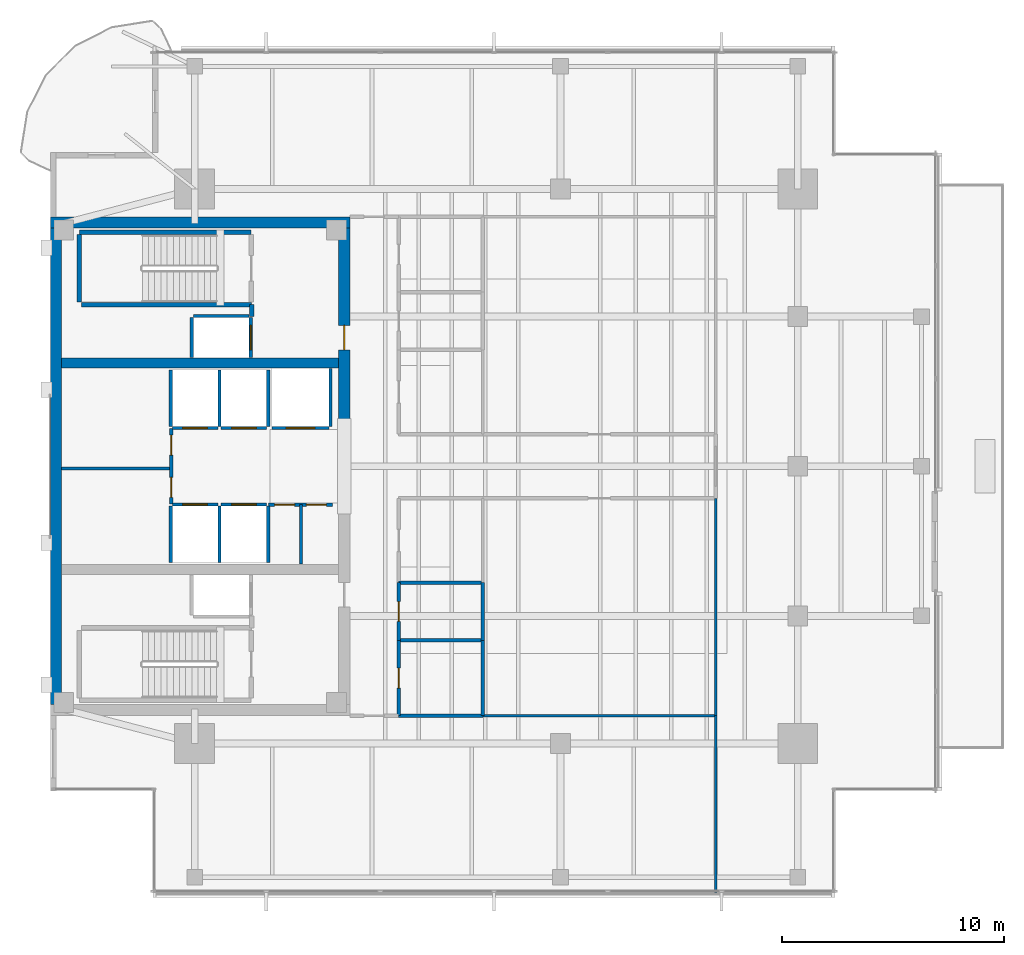
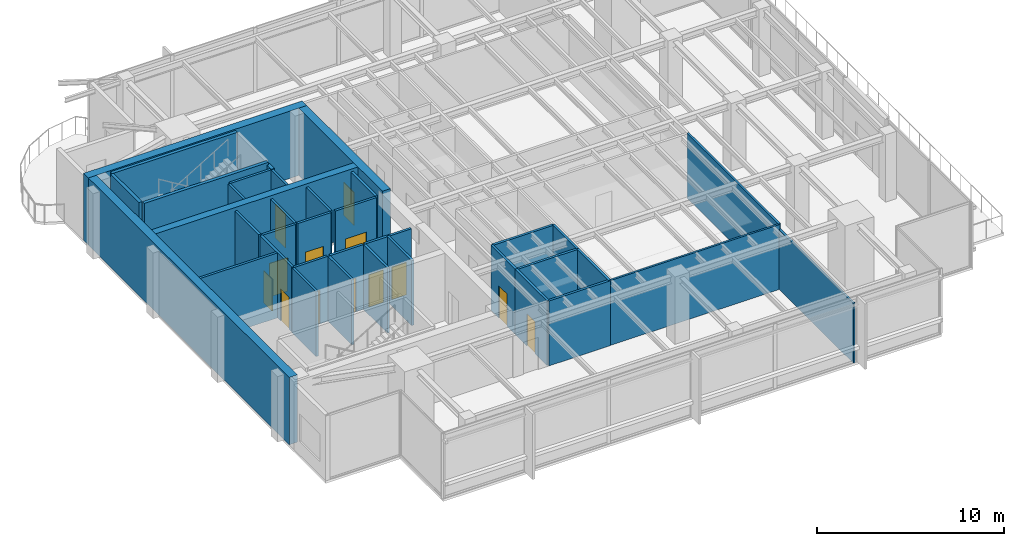
# One storey, part 8 of 14: 37 walls, 13 doors, 13 openings.
"""IFC4 building model written with IfcOpenShell, lengths in metres."""

from ifc_helpers import new_model, si_unit, direction, frame, frame_2d, origin, place, context, subcontext, project, spatial, rectangle, extrude, material, layer, layer_set, type_object, element, fill, save


model = new_model("IFC4")

# Units and contexts
model_context = context("Model", 3, precision=1e-05, world=origin(), true_north=direction((0.0, 1.0)))
body_context = subcontext(model_context, "Body", "Model", "MODEL_VIEW")
ifc_project = project(units=[si_unit("LENGTHUNIT", "METRE"), si_unit("AREAUNIT", "SQUARE_METRE"), si_unit("VOLUMEUNIT", "CUBIC_METRE"), si_unit("PLANEANGLEUNIT", "RADIAN"), si_unit("MASSUNIT", "GRAM", prefix="KILO")], contexts=[model_context])

# Site, building, storey
site_placement = place(None, origin())
site = spatial("IfcSite", under=ifc_project, at=site_placement, CompositionType="ELEMENT")
building_placement = place(site_placement, origin())
building = spatial("IfcBuilding", under=site, at=building_placement, Name="Kinhvarn Gate Tower", CompositionType="ELEMENT")
storey_placement = place(building_placement, frame((0.0, 0.0, 244.85009765625)))
storey = spatial("IfcBuildingStorey", under=building, at=storey_placement, Name="L65", CompositionType="ELEMENT", Elevation=244.85009765625)

# Walls
ifc_material_1 = material(Name="Concrete C50/60", Category="concrete")
ifc_layer_1 = layer(ifc_material_1, 0.449951171875)
ifc_layer_set_1 = layer_set([ifc_layer_1], Name="Concrete C50/60")
wall_type_1 = type_object("IfcWallType", Name="WL-CORE-450", PredefinedType="SHEAR", material=ifc_layer_set_1)
wall_1_placement = place(storey_placement, frame((5.0, 29.89990234375, 0.0), z_axis=(0.0, 0.0, 1.0), x_axis=(1.0, 0.0, 0.0)))
element("IfcWall", 1, at=wall_1_placement, inside=storey, type_object=wall_type_1, Name="Core North Spine Shear Wall L65 450 mm", PredefinedType="SHEAR", context=body_context, shape_type="SweptSolid", body=[
    extrude(rectangle(XDim=12.5, YDim=0.449951171875, at=frame_2d((6.25, 0.0))), origin(), (0.0, 0.0, 1.0), 4.39990234375),
])
ifc_layer_2 = layer(ifc_material_1, 0.5)
ifc_layer_set_2 = layer_set([ifc_layer_2], Name="Concrete C50/60")
wall_type_2 = type_object("IfcWallType", Name="WL-CORE-500", PredefinedType="SHEAR", material=ifc_layer_set_2)
wall_2_placement = place(storey_placement, frame((4.5, 36.25, 0.0), z_axis=(0.0, 0.0, 1.0), x_axis=(1.0, 0.0, 0.0)))
element("IfcWall", 2, at=wall_2_placement, inside=storey, type_object=wall_type_2, Name="Core North Shear Wall L65 500 mm", PredefinedType="SHEAR", context=body_context, shape_type="SweptSolid", body=[
    extrude(rectangle(XDim=13.5, YDim=0.5, at=frame_2d((6.75, 0.0))), origin(), (0.0, 0.0, 1.0), 4.39990234375),
])

# Wall, opening, door
wall_3_placement = place(storey_placement, frame((17.75, 27.050048828125, 0.0), z_axis=(0.0, 0.0, 1.0), x_axis=(0.0, 1.0, 0.0)))
wall_3 = element("IfcWall", 3, at=wall_3_placement, inside=storey, type_object=wall_type_2, Name="Core East-North Shear Pier L65 500 mm", PredefinedType="SHEAR", context=body_context, shape_type="SweptSolid", body=[
    extrude(rectangle(XDim=8.949951171875, YDim=0.5, at=frame_2d((4.47509765625, 0.0))), origin(), (0.0, 0.0, 1.0), 4.39990234375),
])
opening_1_placement = place(wall_3_placement, frame((3.449951171875, 0.0, 0.0)))
opening_1 = element("IfcOpeningElement", 4, at=opening_1_placement, cuts=wall_3, Name="Opening FD-02", PredefinedType="OPENING", context=body_context, shape_type="SweptSolid", body=[
    extrude(rectangle(XDim=1.10009765625, YDim=2.14990234375, at=frame_2d((0.550048828125, 1.074951171875))), frame((0.0, 0.260009765625, 0.0), z_axis=(0.0, -1.0, 0.0), x_axis=(1.0, 0.0, 0.0)), (0.0, 0.0, 1.0), 0.52001953125),
])
ifc_material_2 = material(Name="Anodised aluminium AW-6063", Category="aluminium")
door_type_1 = type_object("IfcDoorType", Name="DR-FD-1100", OperationType="NOTDEFINED", PredefinedType="DOOR", material=ifc_material_2)
door_1_placement = place(opening_1_placement, origin())
door_1 = element("IfcDoor", 5, at=door_1_placement, inside=storey, type_object=door_type_1, Name="Firefighting Lobby Core Door (L65)", OperationType="SINGLE_SWING_LEFT", OverallHeight=2.14990234375, OverallWidth=1.10009765625, PredefinedType="DOOR", context=body_context, shape_type="SweptSolid", body=[
    extrude(rectangle(XDim=1.10009765625, YDim=2.14990234375, at=frame_2d((0.550048828125, 1.074951171875))), frame((0.0, 0.02490234375, 0.0), z_axis=(0.0, -1.0, 0.0), x_axis=(1.0, 0.0, 0.0)), (0.0, 0.0, 1.0), 0.050048828125),
])
fill(opening_1, door_1)

# Walls
ifc_layer_3 = layer(ifc_material_1, 0.5)
ifc_layer_set_3 = layer_set([ifc_layer_3], Name="Concrete C50/60")
wall_type_3 = type_object("IfcWallType", Name="WL-COREX-500", PredefinedType="SHEAR", material=ifc_layer_set_3)
wall_4_placement = place(storey_placement, frame((4.75, 14.5, 0.0), z_axis=(0.0, 0.0, 1.0), x_axis=(0.0, 1.0, 0.0)))
element("IfcWall", 6, at=wall_4_placement, inside=storey, type_object=wall_type_3, Name="Core West Shear Wall L65 500 mm", PredefinedType="SHEAR", context=body_context, shape_type="SweptSolid", body=[
    extrude(rectangle(XDim=21.5, YDim=0.5, at=frame_2d((10.75, 0.0))), origin(), (0.0, 0.0, 1.0), 4.39990234375),
])
ifc_material_3 = material(Name="Gypsum acoustic partition board")
ifc_layer_4 = layer(ifc_material_3, 0.14990234375)
ifc_layer_set_4 = layer_set([ifc_layer_4], Name="Gypsum acoustic partition board")
wall_type_4 = type_object("IfcWallType", Name="WL-PLM-150", PredefinedType="PLUMBINGWALL", material=ifc_layer_set_4)
for number, where, z_axis, x_axis, name in (
    (7, (20.199951171875, 17.39990234375, 0.0), (0.0, 0.0, 1.0), (1.0, 0.0, 0.0), "Interior Partition PLW-150 (L65)"),
    (8, (20.199951171875, 14.0, 0.0), (0.0, 0.0, 1.0), (1.0, 0.0, 0.0), "Interior Partition PLW-150 (L65)"),
):
    element("IfcWall", number, at=place(storey_placement, frame(where, z_axis=z_axis, x_axis=x_axis)), inside=storey, type_object=wall_type_4, Name=name, PredefinedType="PLUMBINGWALL", context=body_context, shape_type="SweptSolid", body=[
        extrude(rectangle(XDim=3.800048828125, YDim=0.14990234375, at=frame_2d((1.89990234375, 0.0))), origin(), (0.0, 0.0, 1.0), 4.239990234375),
    ])
wall_5_placement = place(storey_placement, frame((24.0, 14.0, 0.0), z_axis=(0.0, 0.0, 1.0), x_axis=(0.0, 1.0, 0.0)))
element("IfcWall", 9, at=wall_5_placement, inside=storey, type_object=wall_type_4, Name="Interior Partition PLW-150 (L65)", PredefinedType="PLUMBINGWALL", context=body_context, shape_type="SweptSolid", body=[
    extrude(rectangle(XDim=3.39990234375, YDim=0.14990234375, at=frame_2d((1.699951171875, 0.0))), origin(), (0.0, 0.0, 1.0), 4.239990234375),
])
wall_6_placement = place(storey_placement, frame((24.0, 17.39990234375, 0.0), z_axis=(0.0, 0.0, 1.0), x_axis=(0.0, 1.0, 0.0)))
element("IfcWall", 10, at=wall_6_placement, inside=storey, type_object=wall_type_4, Name="Interior Partition PLW-150 (L65)", PredefinedType="PLUMBINGWALL", context=body_context, shape_type="SweptSolid", body=[
    extrude(rectangle(XDim=2.60009765625, YDim=0.14990234375, at=frame_2d((1.300048828125, 0.0))), origin(), (0.0, 0.0, 1.0), 4.239990234375),
])
wall_7_placement = place(storey_placement, frame((20.199951171875, 20.0, 0.0), z_axis=(0.0, 0.0, 1.0), x_axis=(1.0, 0.0, 0.0)))
element("IfcWall", 11, at=wall_7_placement, inside=storey, type_object=wall_type_4, Name="Interior Partition PLW-150 (L65)", PredefinedType="PLUMBINGWALL", context=body_context, shape_type="SweptSolid", body=[
    extrude(rectangle(XDim=3.800048828125, YDim=0.14990234375, at=frame_2d((1.89990234375, 0.0))), origin(), (0.0, 0.0, 1.0), 4.239990234375),
])

# Wall, opening, door
ifc_layer_5 = layer(ifc_material_3, 0.14990234375)
ifc_layer_set_5 = layer_set([ifc_layer_5], Name="Gypsum acoustic partition board")
wall_type_5 = type_object("IfcWallType", Name="WL-PLM-150F", PredefinedType="PLUMBINGWALL", material=ifc_layer_set_5)
wall_8_placement = place(storey_placement, frame((20.199951171875, 14.0, 0.0), z_axis=(0.0, 0.0, 1.0), x_axis=(0.0, 1.0, 0.0)))
wall_8 = element("IfcWall", 12, at=wall_8_placement, inside=storey, type_object=wall_type_5, Name="Interior Partition PLW-150F (L65)", PredefinedType="PLUMBINGWALL", context=body_context, shape_type="SweptSolid", body=[
    extrude(rectangle(XDim=3.39990234375, YDim=0.14990234375, at=frame_2d((1.699951171875, 0.0))), origin(), (0.0, 0.0, 1.0), 4.239990234375),
])
opening_2_placement = place(wall_8_placement, frame((1.25, 0.0, 0.0)))
opening_2 = element("IfcOpeningElement", 13, at=opening_2_placement, cuts=wall_8, Name="Opening FD-04", PredefinedType="OPENING", context=body_context, shape_type="SweptSolid", body=[
    extrude(rectangle(XDim=0.89990234375, YDim=2.10009765625, at=frame_2d((0.449951171875, 1.050048828125))), frame((0.0, 0.0849609375, 0.0), z_axis=(0.0, -1.0, 0.0), x_axis=(1.0, 0.0, 0.0)), (0.0, 0.0, 1.0), 0.169921875),
])
door_type_2 = type_object("IfcDoorType", Name="DR-FD-900", OperationType="NOTDEFINED", PredefinedType="DOOR", material=ifc_material_2)
door_2_placement = place(opening_2_placement, origin())
door_2 = element("IfcDoor", 14, at=door_2_placement, inside=storey, type_object=door_type_2, Name="Rated Riser & Service Closet Fire Door 900x2100 mm (L65)", OperationType="SINGLE_SWING_RIGHT", OverallHeight=2.10009765625, OverallWidth=0.89990234375, PredefinedType="DOOR", context=body_context, shape_type="SweptSolid", body=[
    extrude(rectangle(XDim=0.89990234375, YDim=2.10009765625, at=frame_2d((0.449951171875, 1.050048828125))), frame((0.0, 0.02490234375, 0.0), z_axis=(0.0, -1.0, 0.0), x_axis=(1.0, 0.0, 0.0)), (0.0, 0.0, 1.0), 0.050048828125),
])
fill(opening_2, door_2)

wall_9_placement = place(storey_placement, frame((20.199951171875, 17.39990234375, 0.0), z_axis=(0.0, 0.0, 1.0), x_axis=(0.0, 1.0, 0.0)))
wall_9 = element("IfcWall", 15, at=wall_9_placement, inside=storey, type_object=wall_type_5, Name="Interior Partition PLW-150F (L65)", PredefinedType="PLUMBINGWALL", context=body_context, shape_type="SweptSolid", body=[
    extrude(rectangle(XDim=2.60009765625, YDim=0.14990234375, at=frame_2d((1.300048828125, 0.0))), origin(), (0.0, 0.0, 1.0), 4.239990234375),
])
opening_3_placement = place(wall_9_placement, frame((0.85009765625, 0.0, 0.0)))
opening_3 = element("IfcOpeningElement", 16, at=opening_3_placement, cuts=wall_9, Name="Opening FD-04", PredefinedType="OPENING", context=body_context, shape_type="SweptSolid", body=[
    extrude(rectangle(XDim=0.89990234375, YDim=2.10009765625, at=frame_2d((0.449951171875, 1.050048828125))), frame((0.0, 0.0849609375, 0.0), z_axis=(0.0, -1.0, 0.0), x_axis=(1.0, 0.0, 0.0)), (0.0, 0.0, 1.0), 0.169921875),
])
door_3_placement = place(opening_3_placement, origin())
door_3 = element("IfcDoor", 17, at=door_3_placement, inside=storey, type_object=door_type_2, Name="Rated Riser & Service Closet Fire Door 900x2100 mm (L65)", OperationType="SINGLE_SWING_RIGHT", OverallHeight=2.10009765625, OverallWidth=0.89990234375, PredefinedType="DOOR", context=body_context, shape_type="SweptSolid", body=[
    extrude(rectangle(XDim=0.89990234375, YDim=2.10009765625, at=frame_2d((0.449951171875, 1.050048828125))), frame((0.0, 0.02490234375, 0.0), z_axis=(0.0, -1.0, 0.0), x_axis=(1.0, 0.0, 0.0)), (0.0, 0.0, 1.0), 0.050048828125),
])
fill(opening_3, door_3)

# Walls
ifc_layer_6 = layer(ifc_material_3, 0.1201171875)
ifc_layer_set_6 = layer_set([ifc_layer_6], Name="Gypsum acoustic partition board")
wall_type_6 = type_object("IfcWallType", Name="WL-PRT-120", PredefinedType="PARTITIONING", material=ifc_layer_set_6)
wall_10_placement = place(storey_placement, frame((24.0, 14.0, 0.0), z_axis=(0.0, 0.0, 1.0), x_axis=(1.0, 0.0, 0.0)))
element("IfcWall", 18, at=wall_10_placement, inside=storey, type_object=wall_type_6, Name="Interior Partition PW-120 (L65)", PredefinedType="PARTITIONING", context=body_context, shape_type="SweptSolid", body=[
    extrude(rectangle(XDim=10.5, YDim=0.1201171875, at=frame_2d((5.25, 0.0))), origin(), (0.0, 0.0, 1.0), 4.239990234375),
])
wall_11_placement = place(storey_placement, frame((34.5, 6.010009765625, 0.0), z_axis=(0.0, 0.0, 1.0), x_axis=(0.0, 1.0, 0.0)))
element("IfcWall", 19, at=wall_11_placement, inside=storey, type_object=wall_type_6, Name="Interior Partition PW-120 (L65)", PredefinedType="PARTITIONING", context=body_context, shape_type="SweptSolid", body=[
    extrude(rectangle(XDim=7.989990234375, YDim=0.1201171875, at=frame_2d((3.9951171875, 0.0))), origin(), (0.0, 0.0, 1.0), 3.909912109375),
])
wall_12_placement = place(storey_placement, frame((34.5, 14.0, 0.0), z_axis=(0.0, 0.0, 1.0), x_axis=(0.0, 1.0, 0.0)))
element("IfcWall", 20, at=wall_12_placement, inside=storey, type_object=wall_type_6, Name="Interior Partition PW-120 (L65)", PredefinedType="PARTITIONING", context=body_context, shape_type="SweptSolid", body=[
    extrude(rectangle(XDim=9.800048828125, YDim=0.1201171875, at=frame_2d((4.89990234375, 0.0))), origin(), (0.0, 0.0, 1.0), 4.239990234375),
])
ifc_layer_7 = layer(ifc_material_3, 0.14990234375)
ifc_layer_set_7 = layer_set([ifc_layer_7], Name="Gypsum acoustic partition board")
wall_type_7 = type_object("IfcWallType", Name="WL-PRT-150F", PredefinedType="PARTITIONING", material=ifc_layer_set_7)
wall_13_placement = place(storey_placement, frame((5.0, 25.14990234375, 0.0), z_axis=(0.0, 0.0, 1.0), x_axis=(1.0, 0.0, 0.0)))
element("IfcWall", 21, at=wall_13_placement, inside=storey, type_object=wall_type_7, Name="Interior Partition PW-150F (L65)", PredefinedType="PARTITIONING", context=body_context, shape_type="SweptSolid", body=[
    extrude(rectangle(XDim=4.949951171875, YDim=0.14990234375, at=frame_2d((2.47509765625, 0.0))), origin(), (0.0, 0.0, 1.0), 4.239990234375),
])

# Wall, openings, doors
wall_14_placement = place(storey_placement, frame((9.949951171875, 23.550048828125, 0.0), z_axis=(0.0, 0.0, 1.0), x_axis=(0.0, 1.0, 0.0)))
wall_14 = element("IfcWall", 22, at=wall_14_placement, inside=storey, type_object=wall_type_7, Name="Interior Partition PW-150F (L65)", PredefinedType="PARTITIONING", context=body_context, shape_type="SweptSolid", body=[
    extrude(rectangle(XDim=3.39990234375, YDim=0.14990234375, at=frame_2d((1.699951171875, 0.0))), origin(), (0.0, 0.0, 1.0), 4.239990234375),
])
opening_4_placement = place(wall_14_placement, frame((0.298095703125, 0.0, 0.0)))
opening_4 = element("IfcOpeningElement", 23, at=opening_4_placement, cuts=wall_14, Name="Opening FD-04", PredefinedType="OPENING", context=body_context, shape_type="SweptSolid", body=[
    extrude(rectangle(XDim=0.89990234375, YDim=2.10009765625, at=frame_2d((0.449951171875, 1.050048828125))), frame((0.0, 0.0849609375, 0.0), z_axis=(0.0, -1.0, 0.0), x_axis=(1.0, 0.0, 0.0)), (0.0, 0.0, 1.0), 0.169921875),
])
opening_5_placement = place(wall_14_placement, frame((2.201904296875, 0.0, 0.0)))
opening_5 = element("IfcOpeningElement", 24, at=opening_5_placement, cuts=wall_14, Name="Opening FD-04", PredefinedType="OPENING", context=body_context, shape_type="SweptSolid", body=[
    extrude(rectangle(XDim=0.89990234375, YDim=2.10009765625, at=frame_2d((0.449951171875, 1.050048828125))), frame((0.0, 0.0849609375, 0.0), z_axis=(0.0, -1.0, 0.0), x_axis=(1.0, 0.0, 0.0)), (0.0, 0.0, 1.0), 0.169921875),
])
door_4_placement = place(opening_4_placement, origin())
door_4 = element("IfcDoor", 25, at=door_4_placement, inside=storey, type_object=door_type_2, Name="Rated Riser & Service Closet Fire Door 900x2100 mm (L65)", OperationType="SINGLE_SWING_RIGHT", OverallHeight=2.10009765625, OverallWidth=0.89990234375, PredefinedType="DOOR", context=body_context, shape_type="SweptSolid", body=[
    extrude(rectangle(XDim=0.89990234375, YDim=2.10009765625, at=frame_2d((0.449951171875, 1.050048828125))), frame((0.0, 0.02490234375, 0.0), z_axis=(0.0, -1.0, 0.0), x_axis=(1.0, 0.0, 0.0)), (0.0, 0.0, 1.0), 0.050048828125),
])
fill(opening_4, door_4)
door_5_placement = place(opening_5_placement, origin())
door_5 = element("IfcDoor", 26, at=door_5_placement, inside=storey, type_object=door_type_2, Name="Rated Riser & Service Closet Fire Door 900x2100 mm (L65)", OperationType="SINGLE_SWING_LEFT", OverallHeight=2.10009765625, OverallWidth=0.89990234375, PredefinedType="DOOR", context=body_context, shape_type="SweptSolid", body=[
    extrude(rectangle(XDim=0.89990234375, YDim=2.10009765625, at=frame_2d((0.449951171875, 1.050048828125))), frame((0.0, 0.02490234375, 0.0), z_axis=(0.0, -1.0, 0.0), x_axis=(1.0, 0.0, 0.0)), (0.0, 0.0, 1.0), 0.050048828125),
])
fill(opening_5, door_5)

# Wall
wall_15_placement = place(storey_placement, frame((15.800048828125, 20.85009765625, 0.0), z_axis=(0.0, 0.0, 1.0), x_axis=(0.0, 1.0, 0.0)))
element("IfcWall", 27, at=wall_15_placement, inside=storey, type_object=wall_type_7, Name="Interior Partition PW-150F (L65)", PredefinedType="PARTITIONING", context=body_context, shape_type="SweptSolid", body=[
    extrude(rectangle(XDim=2.669921875, YDim=0.14990234375, at=frame_2d((1.3349609375, 0.0))), origin(), (0.0, 0.0, 1.0), 4.239990234375),
])

# Wall, openings, doors
wall_16_placement = place(storey_placement, frame((14.330078125, 23.52001953125, 0.0), z_axis=(0.0, 0.0, 1.0), x_axis=(1.0, 0.0, 0.0)))
wall_16 = element("IfcWall", 28, at=wall_16_placement, inside=storey, type_object=wall_type_7, Name="Interior Partition PW-150F (L65)", PredefinedType="PARTITIONING", context=body_context, shape_type="SweptSolid", body=[
    extrude(rectangle(XDim=2.889892578125, YDim=0.14990234375, at=frame_2d((1.44482421875, 0.0))), origin(), (0.0, 0.0, 1.0), 4.239990234375),
])
opening_6_placement = place(wall_16_placement, frame((0.280029296875, 0.0, 0.0)))
opening_6 = element("IfcOpeningElement", 29, at=opening_6_placement, cuts=wall_16, Name="Opening FD-04", PredefinedType="OPENING", context=body_context, shape_type="SweptSolid", body=[
    extrude(rectangle(XDim=0.89990234375, YDim=2.10009765625, at=frame_2d((0.449951171875, 1.050048828125))), frame((0.0, 0.0849609375, 0.0), z_axis=(0.0, -1.0, 0.0), x_axis=(1.0, 0.0, 0.0)), (0.0, 0.0, 1.0), 0.169921875),
])
opening_7_placement = place(wall_16_placement, frame((1.7099609375, 0.0, 0.0)))
opening_7 = element("IfcOpeningElement", 30, at=opening_7_placement, cuts=wall_16, Name="Opening FD-04", PredefinedType="OPENING", context=body_context, shape_type="SweptSolid", body=[
    extrude(rectangle(XDim=0.89990234375, YDim=2.10009765625, at=frame_2d((0.449951171875, 1.050048828125))), frame((0.0, 0.0849609375, 0.0), z_axis=(0.0, -1.0, 0.0), x_axis=(1.0, 0.0, 0.0)), (0.0, 0.0, 1.0), 0.169921875),
])
door_6_placement = place(opening_6_placement, origin())
door_6 = element("IfcDoor", 31, at=door_6_placement, inside=storey, type_object=door_type_2, Name="Rated Riser & Service Closet Fire Door 900x2100 mm (L65)", OperationType="SINGLE_SWING_RIGHT", OverallHeight=2.10009765625, OverallWidth=0.89990234375, PredefinedType="DOOR", context=body_context, shape_type="SweptSolid", body=[
    extrude(rectangle(XDim=0.89990234375, YDim=2.10009765625, at=frame_2d((0.449951171875, 1.050048828125))), frame((0.0, 0.02490234375, 0.0), z_axis=(0.0, -1.0, 0.0), x_axis=(1.0, 0.0, 0.0)), (0.0, 0.0, 1.0), 0.050048828125),
])
fill(opening_6, door_6)
door_7_placement = place(opening_7_placement, origin())
door_7 = element("IfcDoor", 32, at=door_7_placement, inside=storey, type_object=door_type_2, Name="Rated Riser & Service Closet Fire Door 900x2100 mm (L65)", OperationType="SINGLE_SWING_LEFT", OverallHeight=2.10009765625, OverallWidth=0.89990234375, PredefinedType="DOOR", context=body_context, shape_type="SweptSolid", body=[
    extrude(rectangle(XDim=0.89990234375, YDim=2.10009765625, at=frame_2d((0.449951171875, 1.050048828125))), frame((0.0, 0.02490234375, 0.0), z_axis=(0.0, -1.0, 0.0), x_axis=(1.0, 0.0, 0.0)), (0.0, 0.0, 1.0), 0.050048828125),
])
fill(opening_7, door_7)

# Wall
ifc_layer_8 = layer(ifc_material_3, 0.199951171875)
ifc_layer_set_8 = layer_set([ifc_layer_8], Name="Gypsum acoustic partition board")
wall_type_8 = type_object("IfcWallType", Name="WL-PRT-200", PredefinedType="PARTITIONING", material=ifc_layer_set_8)
wall_17_placement = place(storey_placement, frame((13.580078125, 32.0, 0.0), z_axis=(0.0, 0.0, 1.0), x_axis=(0.0, 1.0, 0.0)))
element("IfcWall", 33, at=wall_17_placement, inside=storey, type_object=wall_type_8, Name="Interior Partition PW-200 (L65)", PredefinedType="PARTITIONING", context=body_context, shape_type="SweptSolid", body=[
    extrude(rectangle(XDim=0.5400390625, YDim=0.199951171875, at=frame_2d((0.27001953125, 0.0))), origin(), (0.0, 0.0, 1.0), 4.239990234375),
])

# Wall, opening, door
ifc_layer_9 = layer(ifc_material_3, 0.14990234375)
ifc_layer_set_9 = layer_set([ifc_layer_9], Name="Gypsum acoustic partition board")
wall_type_9 = type_object("IfcWallType", Name="WL-SHF-150", PredefinedType="PARTITIONING", material=ifc_layer_set_9)
wall_18_placement = place(storey_placement, frame((10.0, 23.52490234375, 0.0), z_axis=(0.0, 0.0, 1.0), x_axis=(1.0, 0.0, 0.0)))
wall_18 = element("IfcWall", 34, at=wall_18_placement, inside=storey, type_object=wall_type_9, Name="Elevator PH-09 Landing Wall (L65)", PredefinedType="PARTITIONING", context=body_context, shape_type="SweptSolid", body=[
    extrude(rectangle(XDim=2.050048828125, YDim=0.14990234375, at=frame_2d((1.02490234375, 0.0))), origin(), (0.0, 0.0, 1.0), 4.239990234375),
])
opening_8_placement = place(wall_18_placement, frame((0.47509765625, 0.0, 0.0)))
opening_8 = element("IfcOpeningElement", 35, at=opening_8_placement, cuts=wall_18, Name="Opening LD-01", PredefinedType="OPENING", context=body_context, shape_type="SweptSolid", body=[
    extrude(rectangle(XDim=1.10009765625, YDim=2.199951171875, at=frame_2d((0.550048828125, 1.10009765625))), frame((0.0, 0.0849609375, 0.0), z_axis=(0.0, -1.0, 0.0), x_axis=(1.0, 0.0, 0.0)), (0.0, 0.0, 1.0), 0.169921875),
])
door_type_3 = type_object("IfcDoorType", Name="DR-LND-PAS", OperationType="NOTDEFINED", PredefinedType="DOOR", material=ifc_material_2)
door_8_placement = place(opening_8_placement, origin())
door_8 = element("IfcDoor", 36, at=door_8_placement, inside=storey, type_object=door_type_3, Name="Elevator PH-09 Sliding Landing Door (L65)", OperationType="DOUBLE_DOOR_SLIDING", OverallHeight=2.199951171875, OverallWidth=1.10009765625, PredefinedType="DOOR", context=body_context, shape_type="SweptSolid", body=[
    extrude(rectangle(XDim=1.10009765625, YDim=2.199951171875, at=frame_2d((0.550048828125, 1.10009765625))), frame((0.0, 0.02490234375, 0.0), z_axis=(0.0, -1.0, 0.0), x_axis=(1.0, 0.0, 0.0)), (0.0, 0.0, 1.0), 0.050048828125),
])
fill(opening_8, door_8)

# Walls
for number, where, z_axis, x_axis, name in (
    (37, (9.925048828125, 20.89990234375, 0.0), (0.0, 0.0, 1.0), (0.0, 1.0, 0.0), "Elevator PH-09 Hoistway Wall W (L65)"),
    (38, (12.125, 20.89990234375, 0.0), (0.0, 0.0, 1.0), (0.0, 1.0, 0.0), "Elevator PH-09 Hoistway Wall E (L65)"),
):
    element("IfcWall", number, at=place(storey_placement, frame(where, z_axis=z_axis, x_axis=x_axis)), inside=storey, type_object=wall_type_9, Name=name, PredefinedType="PARTITIONING", context=body_context, shape_type="SweptSolid", body=[
        extrude(rectangle(XDim=2.550048828125, YDim=0.14990234375, at=frame_2d((1.27490234375, 0.0))), origin(), (0.0, 0.0, 1.0), 4.239990234375),
    ])

# Wall, opening, door
wall_19_placement = place(storey_placement, frame((12.199951171875, 23.52490234375, 0.0), z_axis=(0.0, 0.0, 1.0), x_axis=(1.0, 0.0, 0.0)))
wall_19 = element("IfcWall", 39, at=wall_19_placement, inside=storey, type_object=wall_type_9, Name="Elevator PH-10 Landing Wall (L65)", PredefinedType="PARTITIONING", context=body_context, shape_type="SweptSolid", body=[
    extrude(rectangle(XDim=2.050048828125, YDim=0.14990234375, at=frame_2d((1.02490234375, 0.0))), origin(), (0.0, 0.0, 1.0), 4.239990234375),
])
opening_9_placement = place(wall_19_placement, frame((0.47509765625, 0.0, 0.0)))
opening_9 = element("IfcOpeningElement", 40, at=opening_9_placement, cuts=wall_19, Name="Opening LD-01", PredefinedType="OPENING", context=body_context, shape_type="SweptSolid", body=[
    extrude(rectangle(XDim=1.10009765625, YDim=2.199951171875, at=frame_2d((0.550048828125, 1.10009765625))), frame((0.0, 0.0849609375, 0.0), z_axis=(0.0, -1.0, 0.0), x_axis=(1.0, 0.0, 0.0)), (0.0, 0.0, 1.0), 0.169921875),
])
door_9_placement = place(opening_9_placement, origin())
door_9 = element("IfcDoor", 41, at=door_9_placement, inside=storey, type_object=door_type_3, Name="Elevator PH-10 Sliding Landing Door (L65)", OperationType="DOUBLE_DOOR_SLIDING", OverallHeight=2.199951171875, OverallWidth=1.10009765625, PredefinedType="DOOR", context=body_context, shape_type="SweptSolid", body=[
    extrude(rectangle(XDim=1.10009765625, YDim=2.199951171875, at=frame_2d((0.550048828125, 1.10009765625))), frame((0.0, 0.02490234375, 0.0), z_axis=(0.0, -1.0, 0.0), x_axis=(1.0, 0.0, 0.0)), (0.0, 0.0, 1.0), 0.050048828125),
])
fill(opening_9, door_9)

# Wall
wall_20_placement = place(storey_placement, frame((14.324951171875, 20.89990234375, 0.0), z_axis=(0.0, 0.0, 1.0), x_axis=(0.0, 1.0, 0.0)))
element("IfcWall", 42, at=wall_20_placement, inside=storey, type_object=wall_type_9, Name="Elevator PH-10 Hoistway Wall E (L65)", PredefinedType="PARTITIONING", context=body_context, shape_type="SweptSolid", body=[
    extrude(rectangle(XDim=2.550048828125, YDim=0.14990234375, at=frame_2d((1.27490234375, 0.0))), origin(), (0.0, 0.0, 1.0), 4.239990234375),
])

# Wall, opening, door
wall_21_placement = place(storey_placement, frame((10.0, 26.97509765625, 0.0), z_axis=(0.0, 0.0, 1.0), x_axis=(1.0, 0.0, 0.0)))
wall_21 = element("IfcWall", 43, at=wall_21_placement, inside=storey, type_object=wall_type_9, Name="Elevator PH-11 Landing Wall (L65)", PredefinedType="PARTITIONING", context=body_context, shape_type="SweptSolid", body=[
    extrude(rectangle(XDim=2.050048828125, YDim=0.14990234375, at=frame_2d((1.02490234375, 0.0))), origin(), (0.0, 0.0, 1.0), 4.239990234375),
])
opening_10_placement = place(wall_21_placement, frame((0.47509765625, 0.0, 0.0)))
opening_10 = element("IfcOpeningElement", 44, at=opening_10_placement, cuts=wall_21, Name="Opening LD-01", PredefinedType="OPENING", context=body_context, shape_type="SweptSolid", body=[
    extrude(rectangle(XDim=1.10009765625, YDim=2.199951171875, at=frame_2d((0.550048828125, 1.10009765625))), frame((0.0, 0.0849609375, 0.0), z_axis=(0.0, -1.0, 0.0), x_axis=(1.0, 0.0, 0.0)), (0.0, 0.0, 1.0), 0.169921875),
])
door_10_placement = place(opening_10_placement, origin())
door_10 = element("IfcDoor", 45, at=door_10_placement, inside=storey, type_object=door_type_3, Name="Elevator PH-11 Sliding Landing Door (L65)", OperationType="DOUBLE_DOOR_SLIDING", OverallHeight=2.199951171875, OverallWidth=1.10009765625, PredefinedType="DOOR", context=body_context, shape_type="SweptSolid", body=[
    extrude(rectangle(XDim=1.10009765625, YDim=2.199951171875, at=frame_2d((0.550048828125, 1.10009765625))), frame((0.0, 0.02490234375, 0.0), z_axis=(0.0, -1.0, 0.0), x_axis=(1.0, 0.0, 0.0)), (0.0, 0.0, 1.0), 0.050048828125),
])
fill(opening_10, door_10)

# Walls
for number, where, z_axis, x_axis, name in (
    (46, (9.925048828125, 27.050048828125, 0.0), (0.0, 0.0, 1.0), (0.0, 1.0, 0.0), "Elevator PH-11 Hoistway Wall W (L65)"),
    (47, (12.125, 27.050048828125, 0.0), (0.0, 0.0, 1.0), (0.0, 1.0, 0.0), "Elevator PH-11 Hoistway Wall E (L65)"),
):
    element("IfcWall", number, at=place(storey_placement, frame(where, z_axis=z_axis, x_axis=x_axis)), inside=storey, type_object=wall_type_9, Name=name, PredefinedType="PARTITIONING", context=body_context, shape_type="SweptSolid", body=[
        extrude(rectangle(XDim=2.550048828125, YDim=0.14990234375, at=frame_2d((1.27490234375, 0.0))), origin(), (0.0, 0.0, 1.0), 4.239990234375),
    ])

# Wall, opening, door
wall_22_placement = place(storey_placement, frame((12.199951171875, 26.97509765625, 0.0), z_axis=(0.0, 0.0, 1.0), x_axis=(1.0, 0.0, 0.0)))
wall_22 = element("IfcWall", 48, at=wall_22_placement, inside=storey, type_object=wall_type_9, Name="Elevator PH-12 Landing Wall (L65)", PredefinedType="PARTITIONING", context=body_context, shape_type="SweptSolid", body=[
    extrude(rectangle(XDim=2.050048828125, YDim=0.14990234375, at=frame_2d((1.02490234375, 0.0))), origin(), (0.0, 0.0, 1.0), 4.239990234375),
])
opening_11_placement = place(wall_22_placement, frame((0.47509765625, 0.0, 0.0)))
opening_11 = element("IfcOpeningElement", 49, at=opening_11_placement, cuts=wall_22, Name="Opening LD-01", PredefinedType="OPENING", context=body_context, shape_type="SweptSolid", body=[
    extrude(rectangle(XDim=1.10009765625, YDim=2.199951171875, at=frame_2d((0.550048828125, 1.10009765625))), frame((0.0, 0.0849609375, 0.0), z_axis=(0.0, -1.0, 0.0), x_axis=(1.0, 0.0, 0.0)), (0.0, 0.0, 1.0), 0.169921875),
])
door_11_placement = place(opening_11_placement, origin())
door_11 = element("IfcDoor", 50, at=door_11_placement, inside=storey, type_object=door_type_3, Name="Elevator PH-12 Sliding Landing Door (L65)", OperationType="DOUBLE_DOOR_SLIDING", OverallHeight=2.199951171875, OverallWidth=1.10009765625, PredefinedType="DOOR", context=body_context, shape_type="SweptSolid", body=[
    extrude(rectangle(XDim=1.10009765625, YDim=2.199951171875, at=frame_2d((0.550048828125, 1.10009765625))), frame((0.0, 0.02490234375, 0.0), z_axis=(0.0, -1.0, 0.0), x_axis=(1.0, 0.0, 0.0)), (0.0, 0.0, 1.0), 0.050048828125),
])
fill(opening_11, door_11)

# Wall
wall_23_placement = place(storey_placement, frame((14.324951171875, 27.050048828125, 0.0), z_axis=(0.0, 0.0, 1.0), x_axis=(0.0, 1.0, 0.0)))
element("IfcWall", 51, at=wall_23_placement, inside=storey, type_object=wall_type_9, Name="Elevator PH-12 Hoistway Wall E (L65)", PredefinedType="PARTITIONING", context=body_context, shape_type="SweptSolid", body=[
    extrude(rectangle(XDim=2.550048828125, YDim=0.14990234375, at=frame_2d((1.27490234375, 0.0))), origin(), (0.0, 0.0, 1.0), 4.239990234375),
])

# Wall, opening, door
wall_24_placement = place(storey_placement, frame((14.5, 26.97509765625, 0.0), z_axis=(0.0, 0.0, 1.0), x_axis=(1.0, 0.0, 0.0)))
wall_24 = element("IfcWall", 52, at=wall_24_placement, inside=storey, type_object=wall_type_9, Name="Elevator SV-01 Landing Wall (L65)", PredefinedType="PARTITIONING", context=body_context, shape_type="SweptSolid", body=[
    extrude(rectangle(XDim=2.550048828125, YDim=0.14990234375, at=frame_2d((1.27490234375, 0.0))), origin(), (0.0, 0.0, 1.0), 4.239990234375),
])
opening_12_placement = place(wall_24_placement, frame((0.625, 0.0, 0.0)))
opening_12 = element("IfcOpeningElement", 53, at=opening_12_placement, cuts=wall_24, Name="Opening LD-02", PredefinedType="OPENING", context=body_context, shape_type="SweptSolid", body=[
    extrude(rectangle(XDim=1.300048828125, YDim=2.199951171875, at=frame_2d((0.64990234375, 1.10009765625))), frame((0.0, 0.0849609375, 0.0), z_axis=(0.0, -1.0, 0.0), x_axis=(1.0, 0.0, 0.0)), (0.0, 0.0, 1.0), 0.169921875),
])
door_type_4 = type_object("IfcDoorType", Name="DR-LND-SRV", OperationType="NOTDEFINED", PredefinedType="DOOR", material=ifc_material_2)
door_12_placement = place(opening_12_placement, origin())
door_12 = element("IfcDoor", 54, at=door_12_placement, inside=storey, type_object=door_type_4, Name="Elevator SV-01 Sliding Landing Door (L65)", OperationType="DOUBLE_DOOR_SLIDING", OverallHeight=2.199951171875, OverallWidth=1.300048828125, PredefinedType="DOOR", context=body_context, shape_type="SweptSolid", body=[
    extrude(rectangle(XDim=1.300048828125, YDim=2.199951171875, at=frame_2d((0.64990234375, 1.10009765625))), frame((0.0, 0.02490234375, 0.0), z_axis=(0.0, -1.0, 0.0), x_axis=(1.0, 0.0, 0.0)), (0.0, 0.0, 1.0), 0.050048828125),
])
fill(opening_12, door_12)

# Walls
wall_25_placement = place(storey_placement, frame((17.125, 27.050048828125, 0.0), z_axis=(0.0, 0.0, 1.0), x_axis=(0.0, 1.0, 0.0)))
element("IfcWall", 55, at=wall_25_placement, inside=storey, type_object=wall_type_9, Name="Elevator SV-01 Hoistway Wall E (L65)", PredefinedType="PARTITIONING", context=body_context, shape_type="SweptSolid", body=[
    extrude(rectangle(XDim=2.599853515625, YDim=0.14990234375, at=frame_2d((1.2998046875, 0.0))), origin(), (0.0, 0.0, 1.0), 4.239990234375),
])
wall_26_placement = place(storey_placement, frame((10.949951171875, 32.02490234375, 0.0), z_axis=(0.0, 0.0, 1.0), x_axis=(1.0, 0.0, 0.0)))
element("IfcWall", 56, at=wall_26_placement, inside=storey, type_object=wall_type_9, Name="Elevator FF2 Hoistway Wall N (L65)", PredefinedType="PARTITIONING", context=body_context, shape_type="SweptSolid", body=[
    extrude(rectangle(XDim=2.5, YDim=0.14990234375, at=frame_2d((1.25, 0.0))), origin(), (0.0, 0.0, 1.0), 4.239990234375),
])
wall_27_placement = place(storey_placement, frame((10.875, 30.14990234375, 0.0), z_axis=(0.0, 0.0, 1.0), x_axis=(0.0, 1.0, 0.0)))
element("IfcWall", 57, at=wall_27_placement, inside=storey, type_object=wall_type_9, Name="Elevator FF2 Hoistway Wall W (L65)", PredefinedType="PARTITIONING", context=body_context, shape_type="SweptSolid", body=[
    extrude(rectangle(XDim=1.800048828125, YDim=0.14990234375, at=frame_2d((0.89990234375, 0.0))), origin(), (0.0, 0.0, 1.0), 4.239990234375),
])

# Wall, opening, door
wall_28_placement = place(storey_placement, frame((13.52490234375, 30.14990234375, 0.0), z_axis=(0.0, 0.0, 1.0), x_axis=(0.0, 1.0, 0.0)))
wall_28 = element("IfcWall", 58, at=wall_28_placement, inside=storey, type_object=wall_type_9, Name="Elevator FF2 Landing Wall (L65)", PredefinedType="PARTITIONING", context=body_context, shape_type="SweptSolid", body=[
    extrude(rectangle(XDim=1.800048828125, YDim=0.14990234375, at=frame_2d((0.89990234375, 0.0))), origin(), (0.0, 0.0, 1.0), 4.239990234375),
])
opening_13_placement = place(wall_28_placement, frame((0.35009765625, 0.0, 0.0)))
opening_13 = element("IfcOpeningElement", 59, at=opening_13_placement, cuts=wall_28, Name="Opening LD-03", PredefinedType="OPENING", context=body_context, shape_type="SweptSolid", body=[
    extrude(rectangle(XDim=1.10009765625, YDim=2.199951171875, at=frame_2d((0.550048828125, 1.10009765625))), frame((0.0, 0.0849609375, 0.0), z_axis=(0.0, -1.0, 0.0), x_axis=(1.0, 0.0, 0.0)), (0.0, 0.0, 1.0), 0.169921875),
])
door_type_5 = type_object("IfcDoorType", Name="DR-LND-FF", OperationType="NOTDEFINED", PredefinedType="DOOR", material=ifc_material_2)
door_13_placement = place(opening_13_placement, origin())
door_13 = element("IfcDoor", 60, at=door_13_placement, inside=storey, type_object=door_type_5, Name="Elevator FF2 Sliding Landing Door (L65)", OperationType="DOUBLE_DOOR_SLIDING", OverallHeight=2.199951171875, OverallWidth=1.10009765625, PredefinedType="DOOR", context=body_context, shape_type="SweptSolid", body=[
    extrude(rectangle(XDim=1.10009765625, YDim=2.199951171875, at=frame_2d((0.550048828125, 1.10009765625))), frame((0.0, 0.02490234375, 0.0), z_axis=(0.0, -1.0, 0.0), x_axis=(1.0, 0.0, 0.0)), (0.0, 0.0, 1.0), 0.050048828125),
])
fill(opening_13, door_13)

# Walls
ifc_material_4 = material(Name="Concrete C40/50", Category="concrete")
ifc_layer_10 = layer(ifc_material_4, 0.199951171875)
ifc_layer_set_10 = layer_set([ifc_layer_10], Name="Concrete C40/50")
wall_type_10 = type_object("IfcWallType", Name="WL-SHF-200", PredefinedType="SOLIDWALL", material=ifc_layer_set_10)
wall_29_placement = place(storey_placement, frame((5.800048828125, 35.800048828125, 0.0), z_axis=(0.0, 0.0, 1.0), x_axis=(1.0, 0.0, 0.0)))
element("IfcWall", 61, at=wall_29_placement, inside=storey, type_object=wall_type_10, Name="Stair ST2 North Shaft Wall (L65)", PredefinedType="SOLIDWALL", context=body_context, shape_type="SweptSolid", body=[
    extrude(rectangle(XDim=7.75, YDim=0.199951171875, at=frame_2d((3.875, 0.0))), origin(), (0.0, 0.0, 1.0), 4.39990234375),
])
wall_30_placement = place(storey_placement, frame((5.7900390625, 32.64990234375, 0.0), z_axis=(0.0, 0.0, 1.0), x_axis=(0.0, 1.0, 0.0)))
element("IfcWall", 62, at=wall_30_placement, inside=storey, type_object=wall_type_10, Name="Stair ST2 West Shaft Wall (L65)", PredefinedType="SOLIDWALL", context=body_context, shape_type="SweptSolid", body=[
    extrude(rectangle(XDim=3.050048828125, YDim=0.199951171875, at=frame_2d((1.52490234375, 0.0))), origin(), (0.0, 0.0, 1.0), 4.39990234375),
])
wall_31_placement = place(storey_placement, frame((5.89990234375, 32.5400390625, 0.0), z_axis=(0.0, 0.0, 1.0), x_axis=(1.0, 0.0, 0.0)))
element("IfcWall", 63, at=wall_31_placement, inside=storey, type_object=wall_type_10, Name="Stair ST2 South Shaft Wall (L65)", PredefinedType="SOLIDWALL", context=body_context, shape_type="SweptSolid", body=[
    extrude(rectangle(XDim=7.66015625, YDim=0.199951171875, at=frame_2d((3.830078125, 0.0))), origin(), (0.0, 0.0, 1.0), 4.39990234375),
])

save(model, "model.ifc")
